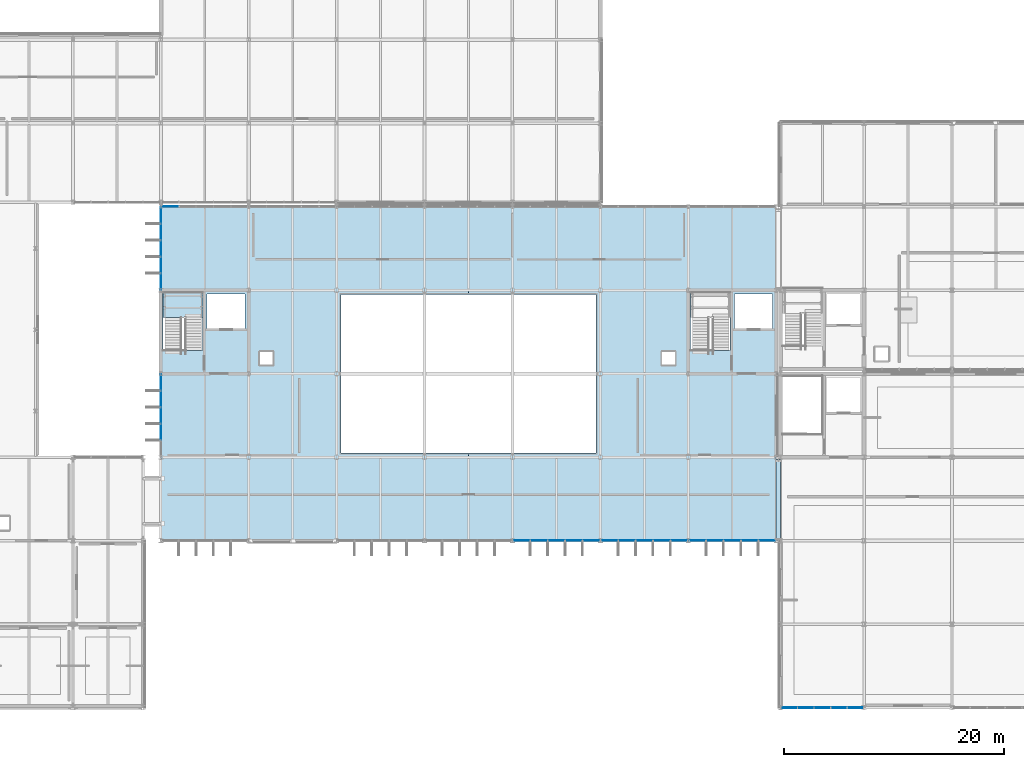
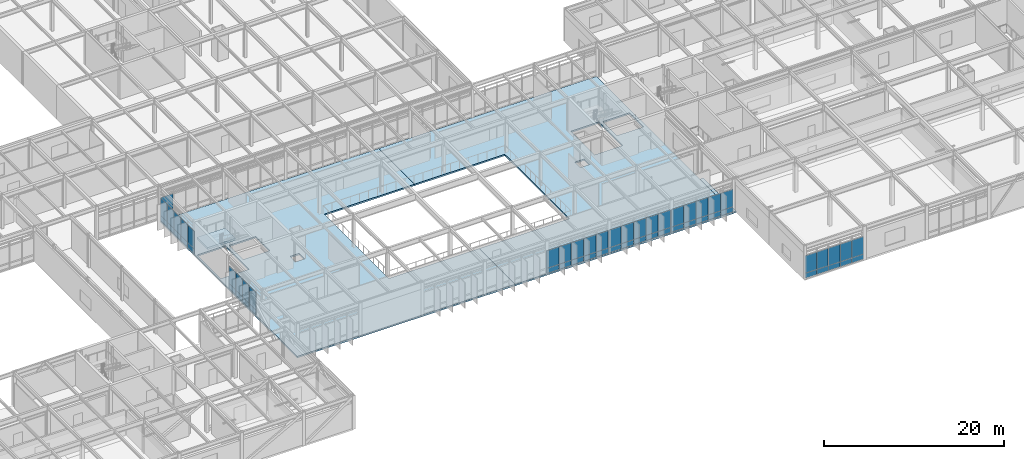
# One storey, part 71 of 104: 59 plates, 4 slabs, 8 elements without a shape of their own.
"""IFC4 building model written with IfcOpenShell, lengths in metres."""

from ifc_helpers import new_model, si_unit, direction, frame, origin, origin_2d, place, context, subcontext, project, spatial, polyline, rectangle, outline, extrude, material, layer, layer_set, type_object, element, aggregate, save


model = new_model("IFC4")

# Units and contexts
model_context = context("Model", 3, precision=1e-05, world=origin(), true_north=direction((0.0, 1.0)))
body_context = subcontext(model_context, "Body", "Model", "MODEL_VIEW")
ifc_project = project(units=[si_unit("LENGTHUNIT", "METRE"), si_unit("AREAUNIT", "SQUARE_METRE"), si_unit("VOLUMEUNIT", "CUBIC_METRE"), si_unit("PLANEANGLEUNIT", "RADIAN"), si_unit("MASSUNIT", "GRAM", prefix="KILO")], contexts=[model_context])

# Site, building, storey
site_placement = place(None, origin())
site = spatial("IfcSite", under=ifc_project, at=site_placement, CompositionType="ELEMENT")
building_placement = place(site_placement, origin())
building = spatial("IfcBuilding", under=site, at=building_placement, Name="Zulena Civic Courthouse", CompositionType="ELEMENT")
storey_placement = place(building_placement, frame((0.0, 0.0, 15.60009765625)))
storey = spatial("IfcBuildingStorey", under=building, at=storey_placement, Name="L03", CompositionType="ELEMENT", Elevation=15.60009765625)

# Slab
ifc_material_1 = material(Name="Concrete C35/45", Category="concrete")
ifc_layer_1 = layer(ifc_material_1, 0.195068359375)
ifc_layer_set_1 = layer_set([ifc_layer_1], Name="Concrete C35/45")
slab_type_1 = type_object("IfcSlabType", Name="BridgeSlab_195", PredefinedType="FLOOR", material=ifc_layer_set_1)
slab_1_placement = place(storey_placement, frame((0.0, 0.0, -0.195068359375)))
element("IfcSlab", 1, at=slab_1_placement, inside=storey, type_object=slab_type_1, Name="slab:bridge:BR-41:L03", PredefinedType="FLOOR", context=body_context, shape_type="SweptSolid", body=[
    extrude(outline(polyline([(124.0, 15.199951171875), (124.39990234375, 15.199951171875), (124.39990234375, 22.60009765625), (124.0, 22.60009765625), (124.0, 15.199951171875)])), origin(), (0.0, 0.0, 1.0), 0.195068359375),
])

# Curtain wall, plates
ifc_material_2 = material(Name="Double-silver low-E laminated solar-control glass", Category="glass")
curtain_wall_type_1 = type_object("IfcCurtainWallType", Name="CW_7528x3690", PredefinedType="USERDEFINED", material=ifc_material_2)
curtain_wall_1_placement = place(storey_placement, origin())
curtain_wall_1 = element("IfcCurtainWall", 2, at=curtain_wall_1_placement, inside=storey, type_object=curtain_wall_type_1, Name="cw:V1:L03:3:5", ObjectType="UNITISED CURTAIN WALL", PredefinedType="USERDEFINED")
ifc_material_3 = material(Name="Ceramic-fritted insulated spandrel glass", Category="glass")
ifc_layer_2 = layer(ifc_material_3, 0.0458984375)
ifc_layer_set_2 = layer_set([ifc_layer_2], Name="Ceramic-fritted insulated spandrel glass")
plate_type_1 = type_object("IfcPlateType", Name="CWPanel_Spandrel_46", PredefinedType="CURTAIN_PANEL", material=ifc_layer_set_2)
plate_1_placement = place(storey_placement, frame((131.211181640625, 0.0, 0.06982421875), z_axis=(0.0, 0.0, 1.0), x_axis=(-1.0, 0.0, 0.0)))
plate_1 = element("IfcPlate", 3, at=plate_1_placement, type_object=plate_type_1, Name="cw:V1:L03:3:5:panS:0", PredefinedType="CURTAIN_PANEL", context=body_context, shape_type="SweptSolid", body=[
    extrude(rectangle(XDim=1.4560546875, YDim=0.0458984375, at=origin_2d()), origin(), (0.0, 0.0, 1.0), 0.669921875),
])
plate_2_placement = place(storey_placement, frame((129.70556640625, 0.0, 0.06982421875), z_axis=(0.0, 0.0, 1.0), x_axis=(-1.0, 0.0, 0.0)))
plate_2 = element("IfcPlate", 4, at=plate_2_placement, type_object=plate_type_1, Name="cw:V1:L03:3:5:panS:1", PredefinedType="CURTAIN_PANEL", context=body_context, shape_type="SweptSolid", body=[
    extrude(rectangle(XDim=1.4560546875, YDim=0.0458984375, at=origin_2d()), origin(), (0.0, 0.0, 1.0), 0.669921875),
])
plate_3_placement = place(storey_placement, frame((128.199951171875, 0.0, 0.06982421875), z_axis=(0.0, 0.0, 1.0), x_axis=(-1.0, 0.0, 0.0)))
plate_3 = element("IfcPlate", 5, at=plate_3_placement, type_object=plate_type_1, Name="cw:V1:L03:3:5:panS:2", PredefinedType="CURTAIN_PANEL", context=body_context, shape_type="SweptSolid", body=[
    extrude(rectangle(XDim=1.4560546875, YDim=0.0458984375, at=origin_2d()), origin(), (0.0, 0.0, 1.0), 0.669921875),
])
plate_4_placement = place(storey_placement, frame((126.6943359375, 0.0, 0.06982421875), z_axis=(0.0, 0.0, 1.0), x_axis=(-1.0, 0.0, 0.0)))
plate_4 = element("IfcPlate", 6, at=plate_4_placement, type_object=plate_type_1, Name="cw:V1:L03:3:5:panS:3", PredefinedType="CURTAIN_PANEL", context=body_context, shape_type="SweptSolid", body=[
    extrude(rectangle(XDim=1.4560546875, YDim=0.0458984375, at=origin_2d()), origin(), (0.0, 0.0, 1.0), 0.669921875),
])
plate_5_placement = place(storey_placement, frame((125.188720703125, 0.0, 0.06982421875), z_axis=(0.0, 0.0, 1.0), x_axis=(-1.0, 0.0, 0.0)))
plate_5 = element("IfcPlate", 7, at=plate_5_placement, type_object=plate_type_1, Name="cw:V1:L03:3:5:panS:4", PredefinedType="CURTAIN_PANEL", context=body_context, shape_type="SweptSolid", body=[
    extrude(rectangle(XDim=1.4560546875, YDim=0.0458984375, at=origin_2d()), origin(), (0.0, 0.0, 1.0), 0.669921875),
])

curtain_wall_2_placement = place(storey_placement, origin())
curtain_wall_2 = element("IfcCurtainWall", 8, at=curtain_wall_2_placement, inside=storey, type_object=curtain_wall_type_1, Name="cw:V4:L03:0:1", ObjectType="UNITISED CURTAIN WALL", PredefinedType="USERDEFINED")
plate_6_placement = place(storey_placement, frame((68.0, 25.094482421875, 0.06982421875), z_axis=(0.0, 0.0, 1.0), x_axis=(0.0, 1.0, 0.0)))
plate_6 = element("IfcPlate", 9, at=plate_6_placement, type_object=plate_type_1, Name="cw:V4:L03:0:1:panS:1", PredefinedType="CURTAIN_PANEL", context=body_context, shape_type="SweptSolid", body=[
    extrude(rectangle(XDim=1.4560546875, YDim=0.0458984375, at=origin_2d()), origin(), (0.0, 0.0, 1.0), 0.669921875),
])
plate_7_placement = place(storey_placement, frame((68.0, 26.60009765625, 0.06982421875), z_axis=(0.0, 0.0, 1.0), x_axis=(0.0, 1.0, 0.0)))
plate_7 = element("IfcPlate", 10, at=plate_7_placement, type_object=plate_type_1, Name="cw:V4:L03:0:1:panS:2", PredefinedType="CURTAIN_PANEL", context=body_context, shape_type="SweptSolid", body=[
    extrude(rectangle(XDim=1.4560546875, YDim=0.0458984375, at=origin_2d()), origin(), (0.0, 0.0, 1.0), 0.669921875),
])
plate_8_placement = place(storey_placement, frame((68.0, 28.105712890625, 0.06982421875), z_axis=(0.0, 0.0, 1.0), x_axis=(0.0, 1.0, 0.0)))
plate_8 = element("IfcPlate", 11, at=plate_8_placement, type_object=plate_type_1, Name="cw:V4:L03:0:1:panS:3", PredefinedType="CURTAIN_PANEL", context=body_context, shape_type="SweptSolid", body=[
    extrude(rectangle(XDim=1.4560546875, YDim=0.0458984375, at=origin_2d()), origin(), (0.0, 0.0, 1.0), 0.669921875),
])
plate_9_placement = place(storey_placement, frame((68.0, 29.611083984375, 0.06982421875), z_axis=(0.0, 0.0, 1.0), x_axis=(0.0, 1.0, 0.0)))
plate_9 = element("IfcPlate", 12, at=plate_9_placement, type_object=plate_type_1, Name="cw:V4:L03:0:1:panS:4", PredefinedType="CURTAIN_PANEL", context=body_context, shape_type="SweptSolid", body=[
    extrude(rectangle(XDim=1.4560546875, YDim=0.0458984375, at=origin_2d()), origin(), (0.0, 0.0, 1.0), 0.669921875),
])

curtain_wall_3_placement = place(storey_placement, origin())
curtain_wall_3 = element("IfcCurtainWall", 13, at=curtain_wall_3_placement, inside=storey, type_object=curtain_wall_type_1, Name="cw:V4:L03:0:3", ObjectType="UNITISED CURTAIN WALL", PredefinedType="USERDEFINED")
plate_10_placement = place(storey_placement, frame((68.0, 38.788818359375, 0.06982421875), z_axis=(0.0, 0.0, 1.0), x_axis=(0.0, 1.0, 0.0)))
plate_10 = element("IfcPlate", 14, at=plate_10_placement, type_object=plate_type_1, Name="cw:V4:L03:0:3:panS:0", PredefinedType="CURTAIN_PANEL", context=body_context, shape_type="SweptSolid", body=[
    extrude(rectangle(XDim=1.4560546875, YDim=0.0458984375, at=origin_2d()), origin(), (0.0, 0.0, 1.0), 0.669921875),
])
plate_11_placement = place(storey_placement, frame((68.0, 40.29443359375, 0.06982421875), z_axis=(0.0, 0.0, 1.0), x_axis=(0.0, 1.0, 0.0)))
plate_11 = element("IfcPlate", 15, at=plate_11_placement, type_object=plate_type_1, Name="cw:V4:L03:0:3:panS:1", PredefinedType="CURTAIN_PANEL", context=body_context, shape_type="SweptSolid", body=[
    extrude(rectangle(XDim=1.4560546875, YDim=0.0458984375, at=origin_2d()), origin(), (0.0, 0.0, 1.0), 0.669921875),
])
plate_12_placement = place(storey_placement, frame((68.0, 41.800048828125, 0.06982421875), z_axis=(0.0, 0.0, 1.0), x_axis=(0.0, 1.0, 0.0)))
plate_12 = element("IfcPlate", 16, at=plate_12_placement, type_object=plate_type_1, Name="cw:V4:L03:0:3:panS:2", PredefinedType="CURTAIN_PANEL", context=body_context, shape_type="SweptSolid", body=[
    extrude(rectangle(XDim=1.4560546875, YDim=0.0458984375, at=origin_2d()), origin(), (0.0, 0.0, 1.0), 0.669921875),
])
plate_13_placement = place(storey_placement, frame((68.0, 43.3056640625, 0.06982421875), z_axis=(0.0, 0.0, 1.0), x_axis=(0.0, 1.0, 0.0)))
plate_13 = element("IfcPlate", 17, at=plate_13_placement, type_object=plate_type_1, Name="cw:V4:L03:0:3:panS:3", PredefinedType="CURTAIN_PANEL", context=body_context, shape_type="SweptSolid", body=[
    extrude(rectangle(XDim=1.4560546875, YDim=0.0458984375, at=origin_2d()), origin(), (0.0, 0.0, 1.0), 0.669921875),
])
plate_14_placement = place(storey_placement, frame((68.0, 44.811279296875, 0.06982421875), z_axis=(0.0, 0.0, 1.0), x_axis=(0.0, 1.0, 0.0)))
plate_14 = element("IfcPlate", 18, at=plate_14_placement, type_object=plate_type_1, Name="cw:V4:L03:0:3:panS:4", PredefinedType="CURTAIN_PANEL", context=body_context, shape_type="SweptSolid", body=[
    extrude(rectangle(XDim=1.4560546875, YDim=0.0458984375, at=origin_2d()), origin(), (0.0, 0.0, 1.0), 0.669921875),
])

curtain_wall_type_2 = type_object("IfcCurtainWallType", Name="CW_7928x3690", PredefinedType="USERDEFINED", material=ifc_material_2)
curtain_wall_4_placement = place(storey_placement, origin())
curtain_wall_4 = element("IfcCurtainWall", 19, at=curtain_wall_4_placement, inside=storey, type_object=curtain_wall_type_2, Name="cw:V4:L03:3:0", ObjectType="UNITISED CURTAIN WALL", PredefinedType="USERDEFINED")
plate_15_placement = place(storey_placement, frame((123.171142578125, 15.199951171875, 0.06982421875), z_axis=(0.0, 0.0, 1.0), x_axis=(-1.0, 0.0, 0.0)))
plate_15 = element("IfcPlate", 20, at=plate_15_placement, type_object=plate_type_1, Name="cw:V4:L03:3:0:panS:0", PredefinedType="CURTAIN_PANEL", context=body_context, shape_type="SweptSolid", body=[
    extrude(rectangle(XDim=1.535888671875, YDim=0.0458984375, at=origin_2d()), origin(), (0.0, 0.0, 1.0), 0.669921875),
])
plate_16_placement = place(storey_placement, frame((121.585693359375, 15.199951171875, 0.06982421875), z_axis=(0.0, 0.0, 1.0), x_axis=(-1.0, 0.0, 0.0)))
plate_16 = element("IfcPlate", 21, at=plate_16_placement, type_object=plate_type_1, Name="cw:V4:L03:3:0:panS:1", PredefinedType="CURTAIN_PANEL", context=body_context, shape_type="SweptSolid", body=[
    extrude(rectangle(XDim=1.535888671875, YDim=0.0458984375, at=origin_2d()), origin(), (0.0, 0.0, 1.0), 0.669921875),
])
plate_17_placement = place(storey_placement, frame((120.0, 15.199951171875, 0.06982421875), z_axis=(0.0, 0.0, 1.0), x_axis=(-1.0, 0.0, 0.0)))
plate_17 = element("IfcPlate", 22, at=plate_17_placement, type_object=plate_type_1, Name="cw:V4:L03:3:0:panS:2", PredefinedType="CURTAIN_PANEL", context=body_context, shape_type="SweptSolid", body=[
    extrude(rectangle(XDim=1.535888671875, YDim=0.0458984375, at=origin_2d()), origin(), (0.0, 0.0, 1.0), 0.669921875),
])
plate_18_placement = place(storey_placement, frame((118.414306640625, 15.199951171875, 0.06982421875), z_axis=(0.0, 0.0, 1.0), x_axis=(-1.0, 0.0, 0.0)))
plate_18 = element("IfcPlate", 23, at=plate_18_placement, type_object=plate_type_1, Name="cw:V4:L03:3:0:panS:3", PredefinedType="CURTAIN_PANEL", context=body_context, shape_type="SweptSolid", body=[
    extrude(rectangle(XDim=1.535888671875, YDim=0.0458984375, at=origin_2d()), origin(), (0.0, 0.0, 1.0), 0.669921875),
])
plate_19_placement = place(storey_placement, frame((116.828857421875, 15.199951171875, 0.06982421875), z_axis=(0.0, 0.0, 1.0), x_axis=(-1.0, 0.0, 0.0)))
plate_19 = element("IfcPlate", 24, at=plate_19_placement, type_object=plate_type_1, Name="cw:V4:L03:3:0:panS:4", PredefinedType="CURTAIN_PANEL", context=body_context, shape_type="SweptSolid", body=[
    extrude(rectangle(XDim=1.535888671875, YDim=0.0458984375, at=origin_2d()), origin(), (0.0, 0.0, 1.0), 0.669921875),
])

curtain_wall_5_placement = place(storey_placement, origin())
curtain_wall_5 = element("IfcCurtainWall", 25, at=curtain_wall_5_placement, inside=storey, type_object=curtain_wall_type_2, Name="cw:V4:L03:3:1", ObjectType="UNITISED CURTAIN WALL", PredefinedType="USERDEFINED")
plate_20_placement = place(storey_placement, frame((115.171142578125, 15.199951171875, 0.06982421875), z_axis=(0.0, 0.0, 1.0), x_axis=(-1.0, 0.0, 0.0)))
plate_20 = element("IfcPlate", 26, at=plate_20_placement, type_object=plate_type_1, Name="cw:V4:L03:3:1:panS:0", PredefinedType="CURTAIN_PANEL", context=body_context, shape_type="SweptSolid", body=[
    extrude(rectangle(XDim=1.535888671875, YDim=0.0458984375, at=origin_2d()), origin(), (0.0, 0.0, 1.0), 0.669921875),
])
plate_21_placement = place(storey_placement, frame((113.585693359375, 15.199951171875, 0.06982421875), z_axis=(0.0, 0.0, 1.0), x_axis=(-1.0, 0.0, 0.0)))
plate_21 = element("IfcPlate", 27, at=plate_21_placement, type_object=plate_type_1, Name="cw:V4:L03:3:1:panS:1", PredefinedType="CURTAIN_PANEL", context=body_context, shape_type="SweptSolid", body=[
    extrude(rectangle(XDim=1.535888671875, YDim=0.0458984375, at=origin_2d()), origin(), (0.0, 0.0, 1.0), 0.669921875),
])
plate_22_placement = place(storey_placement, frame((112.0, 15.199951171875, 0.06982421875), z_axis=(0.0, 0.0, 1.0), x_axis=(-1.0, 0.0, 0.0)))
plate_22 = element("IfcPlate", 28, at=plate_22_placement, type_object=plate_type_1, Name="cw:V4:L03:3:1:panS:2", PredefinedType="CURTAIN_PANEL", context=body_context, shape_type="SweptSolid", body=[
    extrude(rectangle(XDim=1.535888671875, YDim=0.0458984375, at=origin_2d()), origin(), (0.0, 0.0, 1.0), 0.669921875),
])
plate_23_placement = place(storey_placement, frame((110.414306640625, 15.199951171875, 0.06982421875), z_axis=(0.0, 0.0, 1.0), x_axis=(-1.0, 0.0, 0.0)))
plate_23 = element("IfcPlate", 29, at=plate_23_placement, type_object=plate_type_1, Name="cw:V4:L03:3:1:panS:3", PredefinedType="CURTAIN_PANEL", context=body_context, shape_type="SweptSolid", body=[
    extrude(rectangle(XDim=1.535888671875, YDim=0.0458984375, at=origin_2d()), origin(), (0.0, 0.0, 1.0), 0.669921875),
])
plate_24_placement = place(storey_placement, frame((108.828857421875, 15.199951171875, 0.06982421875), z_axis=(0.0, 0.0, 1.0), x_axis=(-1.0, 0.0, 0.0)))
plate_24 = element("IfcPlate", 30, at=plate_24_placement, type_object=plate_type_1, Name="cw:V4:L03:3:1:panS:4", PredefinedType="CURTAIN_PANEL", context=body_context, shape_type="SweptSolid", body=[
    extrude(rectangle(XDim=1.535888671875, YDim=0.0458984375, at=origin_2d()), origin(), (0.0, 0.0, 1.0), 0.669921875),
])

curtain_wall_6_placement = place(storey_placement, origin())
curtain_wall_6 = element("IfcCurtainWall", 31, at=curtain_wall_6_placement, inside=storey, type_object=curtain_wall_type_2, Name="cw:V4:L03:3:2", ObjectType="UNITISED CURTAIN WALL", PredefinedType="USERDEFINED")
plate_25_placement = place(storey_placement, frame((107.171142578125, 15.199951171875, 0.06982421875), z_axis=(0.0, 0.0, 1.0), x_axis=(-1.0, 0.0, 0.0)))
plate_25 = element("IfcPlate", 32, at=plate_25_placement, type_object=plate_type_1, Name="cw:V4:L03:3:2:panS:0", PredefinedType="CURTAIN_PANEL", context=body_context, shape_type="SweptSolid", body=[
    extrude(rectangle(XDim=1.535888671875, YDim=0.0458984375, at=origin_2d()), origin(), (0.0, 0.0, 1.0), 0.669921875),
])
plate_26_placement = place(storey_placement, frame((105.585693359375, 15.199951171875, 0.06982421875), z_axis=(0.0, 0.0, 1.0), x_axis=(-1.0, 0.0, 0.0)))
plate_26 = element("IfcPlate", 33, at=plate_26_placement, type_object=plate_type_1, Name="cw:V4:L03:3:2:panS:1", PredefinedType="CURTAIN_PANEL", context=body_context, shape_type="SweptSolid", body=[
    extrude(rectangle(XDim=1.535888671875, YDim=0.0458984375, at=origin_2d()), origin(), (0.0, 0.0, 1.0), 0.669921875),
])
plate_27_placement = place(storey_placement, frame((104.0, 15.199951171875, 0.06982421875), z_axis=(0.0, 0.0, 1.0), x_axis=(-1.0, 0.0, 0.0)))
plate_27 = element("IfcPlate", 34, at=plate_27_placement, type_object=plate_type_1, Name="cw:V4:L03:3:2:panS:2", PredefinedType="CURTAIN_PANEL", context=body_context, shape_type="SweptSolid", body=[
    extrude(rectangle(XDim=1.535888671875, YDim=0.0458984375, at=origin_2d()), origin(), (0.0, 0.0, 1.0), 0.669921875),
])
plate_28_placement = place(storey_placement, frame((102.414306640625, 15.199951171875, 0.06982421875), z_axis=(0.0, 0.0, 1.0), x_axis=(-1.0, 0.0, 0.0)))
plate_28 = element("IfcPlate", 35, at=plate_28_placement, type_object=plate_type_1, Name="cw:V4:L03:3:2:panS:3", PredefinedType="CURTAIN_PANEL", context=body_context, shape_type="SweptSolid", body=[
    extrude(rectangle(XDim=1.535888671875, YDim=0.0458984375, at=origin_2d()), origin(), (0.0, 0.0, 1.0), 0.669921875),
])
plate_29_placement = place(storey_placement, frame((100.828857421875, 15.199951171875, 0.06982421875), z_axis=(0.0, 0.0, 1.0), x_axis=(-1.0, 0.0, 0.0)))
plate_29 = element("IfcPlate", 36, at=plate_29_placement, type_object=plate_type_1, Name="cw:V4:L03:3:2:panS:4", PredefinedType="CURTAIN_PANEL", context=body_context, shape_type="SweptSolid", body=[
    extrude(rectangle(XDim=1.535888671875, YDim=0.0458984375, at=origin_2d()), origin(), (0.0, 0.0, 1.0), 0.669921875),
])

# Plate
ifc_layer_3 = layer(ifc_material_2, 0.035888671875)
ifc_layer_set_3 = layer_set([ifc_layer_3], Name="Double-silver low-E laminated solar-control glass")
plate_type_2 = type_object("IfcPlateType", Name="CWPanel_Vision_36", PredefinedType="CURTAIN_PANEL", material=ifc_layer_set_3)
plate_30_placement = place(storey_placement, frame((131.211181640625, 0.0, 0.759765625), z_axis=(0.0, 0.0, 1.0), x_axis=(-1.0, 0.0, 0.0)))
plate_30 = element("IfcPlate", 37, at=plate_30_placement, type_object=plate_type_2, Name="cw:V1:L03:3:5:panV:0", PredefinedType="CURTAIN_PANEL", context=body_context, shape_type="SweptSolid", body=[
    extrude(rectangle(XDim=1.4560546875, YDim=0.035888671875, at=origin_2d()), origin(), (0.0, 0.0, 1.0), 2.3701171875),
])

plate_31_placement = place(storey_placement, frame((129.70556640625, 0.0, 0.759765625), z_axis=(0.0, 0.0, 1.0), x_axis=(-1.0, 0.0, 0.0)))
plate_31 = element("IfcPlate", 38, at=plate_31_placement, type_object=plate_type_2, Name="cw:V1:L03:3:5:panV:1", PredefinedType="CURTAIN_PANEL", context=body_context, shape_type="SweptSolid", body=[
    extrude(rectangle(XDim=1.4560546875, YDim=0.035888671875, at=origin_2d()), origin(), (0.0, 0.0, 1.0), 2.3701171875),
])

plate_32_placement = place(storey_placement, frame((128.199951171875, 0.0, 0.759765625), z_axis=(0.0, 0.0, 1.0), x_axis=(-1.0, 0.0, 0.0)))
plate_32 = element("IfcPlate", 39, at=plate_32_placement, type_object=plate_type_2, Name="cw:V1:L03:3:5:panV:2", PredefinedType="CURTAIN_PANEL", context=body_context, shape_type="SweptSolid", body=[
    extrude(rectangle(XDim=1.4560546875, YDim=0.035888671875, at=origin_2d()), origin(), (0.0, 0.0, 1.0), 2.3701171875),
])

plate_33_placement = place(storey_placement, frame((126.6943359375, 0.0, 0.759765625), z_axis=(0.0, 0.0, 1.0), x_axis=(-1.0, 0.0, 0.0)))
plate_33 = element("IfcPlate", 40, at=plate_33_placement, type_object=plate_type_2, Name="cw:V1:L03:3:5:panV:3", PredefinedType="CURTAIN_PANEL", context=body_context, shape_type="SweptSolid", body=[
    extrude(rectangle(XDim=1.4560546875, YDim=0.035888671875, at=origin_2d()), origin(), (0.0, 0.0, 1.0), 2.3701171875),
])

plate_34_placement = place(storey_placement, frame((125.188720703125, 0.0, 0.759765625), z_axis=(0.0, 0.0, 1.0), x_axis=(-1.0, 0.0, 0.0)))
plate_34 = element("IfcPlate", 41, at=plate_34_placement, type_object=plate_type_2, Name="cw:V1:L03:3:5:panV:4", PredefinedType="CURTAIN_PANEL", context=body_context, shape_type="SweptSolid", body=[
    extrude(rectangle(XDim=1.4560546875, YDim=0.035888671875, at=origin_2d()), origin(), (0.0, 0.0, 1.0), 2.3701171875),
])

aggregate(curtain_wall_1, [plate_30, plate_1, plate_31, plate_2, plate_32, plate_3, plate_33, plate_4, plate_34, plate_5])

plate_35_placement = place(storey_placement, frame((68.0, 25.094482421875, 0.759765625), z_axis=(0.0, 0.0, 1.0), x_axis=(0.0, 1.0, 0.0)))
plate_35 = element("IfcPlate", 42, at=plate_35_placement, type_object=plate_type_2, Name="cw:V4:L03:0:1:panV:1", PredefinedType="CURTAIN_PANEL", context=body_context, shape_type="SweptSolid", body=[
    extrude(rectangle(XDim=1.4560546875, YDim=0.035888671875, at=origin_2d()), origin(), (0.0, 0.0, 1.0), 2.3701171875),
])

plate_36_placement = place(storey_placement, frame((68.0, 26.60009765625, 0.759765625), z_axis=(0.0, 0.0, 1.0), x_axis=(0.0, 1.0, 0.0)))
plate_36 = element("IfcPlate", 43, at=plate_36_placement, type_object=plate_type_2, Name="cw:V4:L03:0:1:panV:2", PredefinedType="CURTAIN_PANEL", context=body_context, shape_type="SweptSolid", body=[
    extrude(rectangle(XDim=1.4560546875, YDim=0.035888671875, at=origin_2d()), origin(), (0.0, 0.0, 1.0), 2.3701171875),
])

plate_37_placement = place(storey_placement, frame((68.0, 28.105712890625, 0.759765625), z_axis=(0.0, 0.0, 1.0), x_axis=(0.0, 1.0, 0.0)))
plate_37 = element("IfcPlate", 44, at=plate_37_placement, type_object=plate_type_2, Name="cw:V4:L03:0:1:panV:3", PredefinedType="CURTAIN_PANEL", context=body_context, shape_type="SweptSolid", body=[
    extrude(rectangle(XDim=1.4560546875, YDim=0.035888671875, at=origin_2d()), origin(), (0.0, 0.0, 1.0), 2.3701171875),
])

plate_38_placement = place(storey_placement, frame((68.0, 29.611083984375, 0.759765625), z_axis=(0.0, 0.0, 1.0), x_axis=(0.0, 1.0, 0.0)))
plate_38 = element("IfcPlate", 45, at=plate_38_placement, type_object=plate_type_2, Name="cw:V4:L03:0:1:panV:4", PredefinedType="CURTAIN_PANEL", context=body_context, shape_type="SweptSolid", body=[
    extrude(rectangle(XDim=1.4560546875, YDim=0.035888671875, at=origin_2d()), origin(), (0.0, 0.0, 1.0), 2.3701171875),
])

aggregate(curtain_wall_2, [plate_35, plate_6, plate_36, plate_7, plate_37, plate_8, plate_38, plate_9])

plate_39_placement = place(storey_placement, frame((68.0, 38.788818359375, 0.759765625), z_axis=(0.0, 0.0, 1.0), x_axis=(0.0, 1.0, 0.0)))
plate_39 = element("IfcPlate", 46, at=plate_39_placement, type_object=plate_type_2, Name="cw:V4:L03:0:3:panV:0", PredefinedType="CURTAIN_PANEL", context=body_context, shape_type="SweptSolid", body=[
    extrude(rectangle(XDim=1.4560546875, YDim=0.035888671875, at=origin_2d()), origin(), (0.0, 0.0, 1.0), 2.3701171875),
])

plate_40_placement = place(storey_placement, frame((68.0, 40.29443359375, 0.759765625), z_axis=(0.0, 0.0, 1.0), x_axis=(0.0, 1.0, 0.0)))
plate_40 = element("IfcPlate", 47, at=plate_40_placement, type_object=plate_type_2, Name="cw:V4:L03:0:3:panV:1", PredefinedType="CURTAIN_PANEL", context=body_context, shape_type="SweptSolid", body=[
    extrude(rectangle(XDim=1.4560546875, YDim=0.035888671875, at=origin_2d()), origin(), (0.0, 0.0, 1.0), 2.3701171875),
])

plate_41_placement = place(storey_placement, frame((68.0, 41.800048828125, 0.759765625), z_axis=(0.0, 0.0, 1.0), x_axis=(0.0, 1.0, 0.0)))
plate_41 = element("IfcPlate", 48, at=plate_41_placement, type_object=plate_type_2, Name="cw:V4:L03:0:3:panV:2", PredefinedType="CURTAIN_PANEL", context=body_context, shape_type="SweptSolid", body=[
    extrude(rectangle(XDim=1.4560546875, YDim=0.035888671875, at=origin_2d()), origin(), (0.0, 0.0, 1.0), 2.3701171875),
])

plate_42_placement = place(storey_placement, frame((68.0, 43.3056640625, 0.759765625), z_axis=(0.0, 0.0, 1.0), x_axis=(0.0, 1.0, 0.0)))
plate_42 = element("IfcPlate", 49, at=plate_42_placement, type_object=plate_type_2, Name="cw:V4:L03:0:3:panV:3", PredefinedType="CURTAIN_PANEL", context=body_context, shape_type="SweptSolid", body=[
    extrude(rectangle(XDim=1.4560546875, YDim=0.035888671875, at=origin_2d()), origin(), (0.0, 0.0, 1.0), 2.3701171875),
])

plate_43_placement = place(storey_placement, frame((68.0, 44.811279296875, 0.759765625), z_axis=(0.0, 0.0, 1.0), x_axis=(0.0, 1.0, 0.0)))
plate_43 = element("IfcPlate", 50, at=plate_43_placement, type_object=plate_type_2, Name="cw:V4:L03:0:3:panV:4", PredefinedType="CURTAIN_PANEL", context=body_context, shape_type="SweptSolid", body=[
    extrude(rectangle(XDim=1.4560546875, YDim=0.035888671875, at=origin_2d()), origin(), (0.0, 0.0, 1.0), 2.3701171875),
])

aggregate(curtain_wall_3, [plate_39, plate_10, plate_40, plate_11, plate_41, plate_12, plate_42, plate_13, plate_43, plate_14])

# Curtain wall, plate
curtain_wall_7_placement = place(storey_placement, origin())
curtain_wall_7 = element("IfcCurtainWall", 51, at=curtain_wall_7_placement, inside=storey, type_object=curtain_wall_type_2, Name="cw:V4:L03:1:0", ObjectType="UNITISED CURTAIN WALL", PredefinedType="USERDEFINED")
plate_44_placement = place(storey_placement, frame((68.828857421875, 45.60009765625, 0.759765625), z_axis=(0.0, 0.0, 1.0), x_axis=(1.0, 0.0, 0.0)))
plate_44 = element("IfcPlate", 52, at=plate_44_placement, type_object=plate_type_2, Name="cw:V4:L03:1:0:panV:0", PredefinedType="CURTAIN_PANEL", context=body_context, shape_type="SweptSolid", body=[
    extrude(rectangle(XDim=1.535888671875, YDim=0.035888671875, at=origin_2d()), origin(), (0.0, 0.0, 1.0), 2.3701171875),
])
aggregate(curtain_wall_7, [plate_44])

# Plate
plate_45_placement = place(storey_placement, frame((123.171142578125, 15.199951171875, 0.759765625), z_axis=(0.0, 0.0, 1.0), x_axis=(-1.0, 0.0, 0.0)))
plate_45 = element("IfcPlate", 53, at=plate_45_placement, type_object=plate_type_2, Name="cw:V4:L03:3:0:panV:0", PredefinedType="CURTAIN_PANEL", context=body_context, shape_type="SweptSolid", body=[
    extrude(rectangle(XDim=1.535888671875, YDim=0.035888671875, at=origin_2d()), origin(), (0.0, 0.0, 1.0), 2.3701171875),
])

plate_46_placement = place(storey_placement, frame((121.585693359375, 15.199951171875, 0.759765625), z_axis=(0.0, 0.0, 1.0), x_axis=(-1.0, 0.0, 0.0)))
plate_46 = element("IfcPlate", 54, at=plate_46_placement, type_object=plate_type_2, Name="cw:V4:L03:3:0:panV:1", PredefinedType="CURTAIN_PANEL", context=body_context, shape_type="SweptSolid", body=[
    extrude(rectangle(XDim=1.535888671875, YDim=0.035888671875, at=origin_2d()), origin(), (0.0, 0.0, 1.0), 2.3701171875),
])

plate_47_placement = place(storey_placement, frame((120.0, 15.199951171875, 0.759765625), z_axis=(0.0, 0.0, 1.0), x_axis=(-1.0, 0.0, 0.0)))
plate_47 = element("IfcPlate", 55, at=plate_47_placement, type_object=plate_type_2, Name="cw:V4:L03:3:0:panV:2", PredefinedType="CURTAIN_PANEL", context=body_context, shape_type="SweptSolid", body=[
    extrude(rectangle(XDim=1.535888671875, YDim=0.035888671875, at=origin_2d()), origin(), (0.0, 0.0, 1.0), 2.3701171875),
])

plate_48_placement = place(storey_placement, frame((118.414306640625, 15.199951171875, 0.759765625), z_axis=(0.0, 0.0, 1.0), x_axis=(-1.0, 0.0, 0.0)))
plate_48 = element("IfcPlate", 56, at=plate_48_placement, type_object=plate_type_2, Name="cw:V4:L03:3:0:panV:3", PredefinedType="CURTAIN_PANEL", context=body_context, shape_type="SweptSolid", body=[
    extrude(rectangle(XDim=1.535888671875, YDim=0.035888671875, at=origin_2d()), origin(), (0.0, 0.0, 1.0), 2.3701171875),
])

plate_49_placement = place(storey_placement, frame((116.828857421875, 15.199951171875, 0.759765625), z_axis=(0.0, 0.0, 1.0), x_axis=(-1.0, 0.0, 0.0)))
plate_49 = element("IfcPlate", 57, at=plate_49_placement, type_object=plate_type_2, Name="cw:V4:L03:3:0:panV:4", PredefinedType="CURTAIN_PANEL", context=body_context, shape_type="SweptSolid", body=[
    extrude(rectangle(XDim=1.535888671875, YDim=0.035888671875, at=origin_2d()), origin(), (0.0, 0.0, 1.0), 2.3701171875),
])

aggregate(curtain_wall_4, [plate_45, plate_15, plate_46, plate_16, plate_47, plate_17, plate_48, plate_18, plate_49, plate_19])

plate_50_placement = place(storey_placement, frame((115.171142578125, 15.199951171875, 0.759765625), z_axis=(0.0, 0.0, 1.0), x_axis=(-1.0, 0.0, 0.0)))
plate_50 = element("IfcPlate", 58, at=plate_50_placement, type_object=plate_type_2, Name="cw:V4:L03:3:1:panV:0", PredefinedType="CURTAIN_PANEL", context=body_context, shape_type="SweptSolid", body=[
    extrude(rectangle(XDim=1.535888671875, YDim=0.035888671875, at=origin_2d()), origin(), (0.0, 0.0, 1.0), 2.3701171875),
])

plate_51_placement = place(storey_placement, frame((113.585693359375, 15.199951171875, 0.759765625), z_axis=(0.0, 0.0, 1.0), x_axis=(-1.0, 0.0, 0.0)))
plate_51 = element("IfcPlate", 59, at=plate_51_placement, type_object=plate_type_2, Name="cw:V4:L03:3:1:panV:1", PredefinedType="CURTAIN_PANEL", context=body_context, shape_type="SweptSolid", body=[
    extrude(rectangle(XDim=1.535888671875, YDim=0.035888671875, at=origin_2d()), origin(), (0.0, 0.0, 1.0), 2.3701171875),
])

plate_52_placement = place(storey_placement, frame((112.0, 15.199951171875, 0.759765625), z_axis=(0.0, 0.0, 1.0), x_axis=(-1.0, 0.0, 0.0)))
plate_52 = element("IfcPlate", 60, at=plate_52_placement, type_object=plate_type_2, Name="cw:V4:L03:3:1:panV:2", PredefinedType="CURTAIN_PANEL", context=body_context, shape_type="SweptSolid", body=[
    extrude(rectangle(XDim=1.535888671875, YDim=0.035888671875, at=origin_2d()), origin(), (0.0, 0.0, 1.0), 2.3701171875),
])

plate_53_placement = place(storey_placement, frame((110.414306640625, 15.199951171875, 0.759765625), z_axis=(0.0, 0.0, 1.0), x_axis=(-1.0, 0.0, 0.0)))
plate_53 = element("IfcPlate", 61, at=plate_53_placement, type_object=plate_type_2, Name="cw:V4:L03:3:1:panV:3", PredefinedType="CURTAIN_PANEL", context=body_context, shape_type="SweptSolid", body=[
    extrude(rectangle(XDim=1.535888671875, YDim=0.035888671875, at=origin_2d()), origin(), (0.0, 0.0, 1.0), 2.3701171875),
])

plate_54_placement = place(storey_placement, frame((108.828857421875, 15.199951171875, 0.759765625), z_axis=(0.0, 0.0, 1.0), x_axis=(-1.0, 0.0, 0.0)))
plate_54 = element("IfcPlate", 62, at=plate_54_placement, type_object=plate_type_2, Name="cw:V4:L03:3:1:panV:4", PredefinedType="CURTAIN_PANEL", context=body_context, shape_type="SweptSolid", body=[
    extrude(rectangle(XDim=1.535888671875, YDim=0.035888671875, at=origin_2d()), origin(), (0.0, 0.0, 1.0), 2.3701171875),
])

aggregate(curtain_wall_5, [plate_50, plate_20, plate_51, plate_21, plate_52, plate_22, plate_53, plate_23, plate_54, plate_24])

plate_55_placement = place(storey_placement, frame((107.171142578125, 15.199951171875, 0.759765625), z_axis=(0.0, 0.0, 1.0), x_axis=(-1.0, 0.0, 0.0)))
plate_55 = element("IfcPlate", 63, at=plate_55_placement, type_object=plate_type_2, Name="cw:V4:L03:3:2:panV:0", PredefinedType="CURTAIN_PANEL", context=body_context, shape_type="SweptSolid", body=[
    extrude(rectangle(XDim=1.535888671875, YDim=0.035888671875, at=origin_2d()), origin(), (0.0, 0.0, 1.0), 2.3701171875),
])

plate_56_placement = place(storey_placement, frame((105.585693359375, 15.199951171875, 0.759765625), z_axis=(0.0, 0.0, 1.0), x_axis=(-1.0, 0.0, 0.0)))
plate_56 = element("IfcPlate", 64, at=plate_56_placement, type_object=plate_type_2, Name="cw:V4:L03:3:2:panV:1", PredefinedType="CURTAIN_PANEL", context=body_context, shape_type="SweptSolid", body=[
    extrude(rectangle(XDim=1.535888671875, YDim=0.035888671875, at=origin_2d()), origin(), (0.0, 0.0, 1.0), 2.3701171875),
])

plate_57_placement = place(storey_placement, frame((104.0, 15.199951171875, 0.759765625), z_axis=(0.0, 0.0, 1.0), x_axis=(-1.0, 0.0, 0.0)))
plate_57 = element("IfcPlate", 65, at=plate_57_placement, type_object=plate_type_2, Name="cw:V4:L03:3:2:panV:2", PredefinedType="CURTAIN_PANEL", context=body_context, shape_type="SweptSolid", body=[
    extrude(rectangle(XDim=1.535888671875, YDim=0.035888671875, at=origin_2d()), origin(), (0.0, 0.0, 1.0), 2.3701171875),
])

plate_58_placement = place(storey_placement, frame((102.414306640625, 15.199951171875, 0.759765625), z_axis=(0.0, 0.0, 1.0), x_axis=(-1.0, 0.0, 0.0)))
plate_58 = element("IfcPlate", 66, at=plate_58_placement, type_object=plate_type_2, Name="cw:V4:L03:3:2:panV:3", PredefinedType="CURTAIN_PANEL", context=body_context, shape_type="SweptSolid", body=[
    extrude(rectangle(XDim=1.535888671875, YDim=0.035888671875, at=origin_2d()), origin(), (0.0, 0.0, 1.0), 2.3701171875),
])

plate_59_placement = place(storey_placement, frame((100.828857421875, 15.199951171875, 0.759765625), z_axis=(0.0, 0.0, 1.0), x_axis=(-1.0, 0.0, 0.0)))
plate_59 = element("IfcPlate", 67, at=plate_59_placement, type_object=plate_type_2, Name="cw:V4:L03:3:2:panV:4", PredefinedType="CURTAIN_PANEL", context=body_context, shape_type="SweptSolid", body=[
    extrude(rectangle(XDim=1.535888671875, YDim=0.035888671875, at=origin_2d()), origin(), (0.0, 0.0, 1.0), 2.3701171875),
])

aggregate(curtain_wall_6, [plate_55, plate_25, plate_56, plate_26, plate_57, plate_27, plate_58, plate_28, plate_59, plate_29])

# Slabs
ifc_layer_4 = layer(ifc_material_1, 0.2099609375)
ifc_layer_set_4 = layer_set([ifc_layer_4], Name="Concrete C35/45")
slab_type_2 = type_object("IfcSlabType", Name="FloorSlab_210", PredefinedType="FLOOR", material=ifc_layer_set_4)
slab_2_placement = place(storey_placement, frame((0.0, 0.0, -0.210205078125)))
element("IfcSlab", 68, at=slab_2_placement, inside=storey, type_object=slab_type_2, Name="slab:V4:L03_1", PredefinedType="FLOOR", context=body_context, shape_type="SweptSolid", body=[
    extrude(outline(polyline([(68.0, 15.199951171875), (68.0, 45.60009765625), (96.0, 45.60009765625), (96.0, 37.60009765625), (84.39990234375, 37.60009765625), (84.39990234375, 23.199951171875), (96.0, 23.199951171875), (96.0, 15.199951171875), (68.0, 15.199951171875)]), holes=[polyline([(68.18994140625, 32.52001953125), (71.81005859375, 32.52001953125), (71.81005859375, 37.81005859375), (68.18994140625, 37.81005859375), (68.18994140625, 32.52001953125)]), polyline([(72.199951171875, 37.64990234375), (72.199951171875, 34.5), (75.64990234375, 34.5), (75.64990234375, 37.64990234375), (72.199951171875, 37.64990234375)]), polyline([(77.0, 31.199951171875), (78.199951171875, 31.199951171875), (78.199951171875, 32.39990234375), (77.0, 32.39990234375), (77.0, 31.199951171875)])]), origin(), (0.0, 0.0, 1.0), 0.210205078125),
])
slab_3_placement = place(storey_placement, frame((0.0, 0.0, -0.210205078125)))
element("IfcSlab", 69, at=slab_3_placement, inside=storey, type_object=slab_type_2, Name="slab:V4:L03_2", PredefinedType="FLOOR", context=body_context, shape_type="SweptSolid", body=[
    extrude(outline(polyline([(96.0, 15.199951171875), (96.0, 23.199951171875), (107.60009765625, 23.199951171875), (107.60009765625, 37.60009765625), (96.0, 37.60009765625), (96.0, 45.60009765625), (124.0, 45.60009765625), (124.0, 15.199951171875), (96.0, 15.199951171875)]), holes=[polyline([(119.81005859375, 37.81005859375), (116.18994140625, 37.81005859375), (116.18994140625, 32.52001953125), (119.81005859375, 32.52001953125), (119.81005859375, 37.81005859375)]), polyline([(123.64990234375, 34.5), (123.64990234375, 37.64990234375), (120.199951171875, 37.64990234375), (120.199951171875, 34.5), (123.64990234375, 34.5)]), polyline([(113.60009765625, 32.39990234375), (113.60009765625, 31.199951171875), (114.800048828125, 31.199951171875), (114.800048828125, 32.39990234375), (113.60009765625, 32.39990234375)])]), origin(), (0.0, 0.0, 1.0), 0.210205078125),
])

# Stair, slab
ifc_material_4 = material(Name="Precast concrete C40/50", Category="concrete")
stair_type = type_object("IfcStairType", Name="HalfTurnStair_4800", PredefinedType="HALF_TURN_STAIR", material=ifc_material_4)
stair_placement = place(storey_placement, origin())
stair = element("IfcStair", 70, at=stair_placement, inside=storey, type_object=stair_type, Name="stair:K4A:L03", PredefinedType="HALF_TURN_STAIR")
ifc_layer_5 = layer(ifc_material_4, 0.280029296875)
ifc_layer_set_5 = layer_set([ifc_layer_5], Name="Precast concrete C40/50")
slab_type_3 = type_object("IfcSlabType", Name="StairLandingSlab_280", PredefinedType="LANDING", material=ifc_layer_set_5)
slab_4_placement = place(storey_placement, frame((0.0, 0.0, 2.119873046875)))
slab_4 = element("IfcSlab", 71, at=slab_4_placement, type_object=slab_type_3, Name="stair:K4A:L03:LND", PredefinedType="LANDING", context=body_context, shape_type="SweptSolid", body=[
    extrude(outline(polyline([(68.179931640625, 35.49462890625), (71.820068359375, 35.49462890625), (71.820068359375, 37.820068359375), (68.179931640625, 37.820068359375), (68.179931640625, 35.49462890625)])), origin(), (0.0, 0.0, 1.0), 0.280029296875),
])
aggregate(stair, [slab_4])

save(model, "model.ifc")
